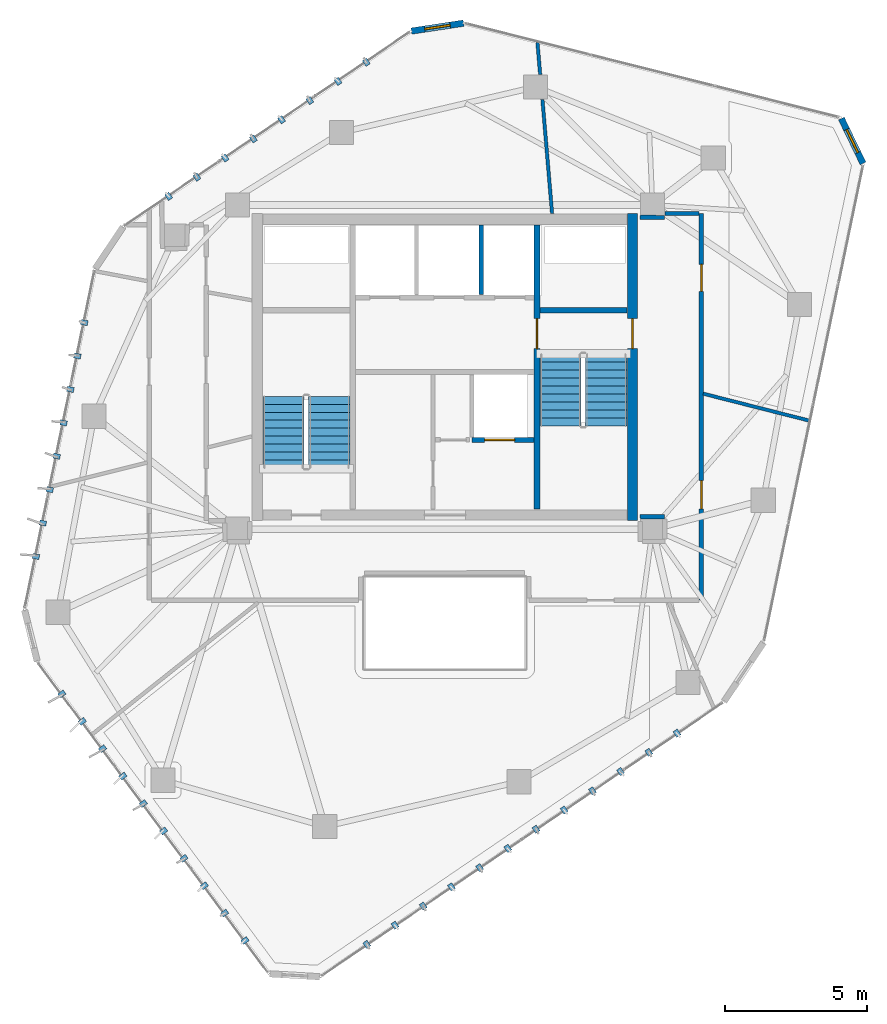
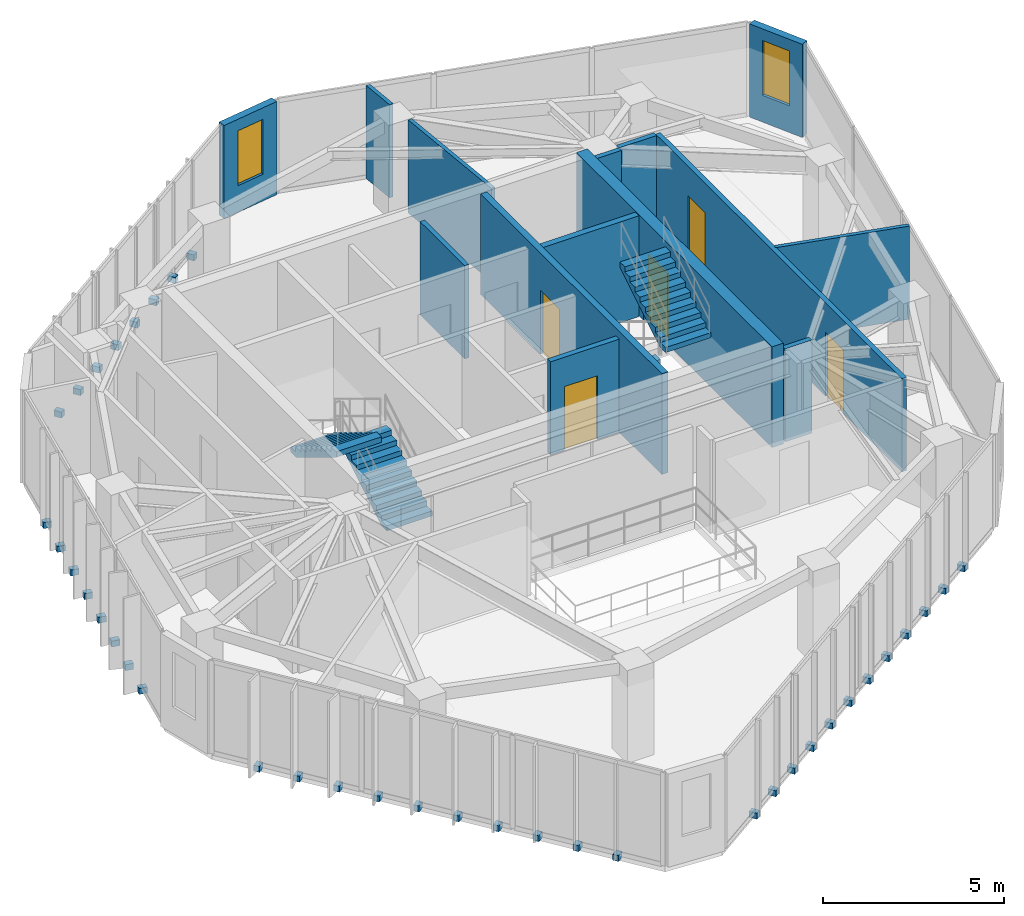
# One storey, part 18 of 20: 38 discrete accessories, 14 walls, 5 doors, 4 stair flights, 2 windows, 7 openings, 2 elements without a shape of their own.
"""IFC4 building model written with IfcOpenShell, lengths in metres."""

import ifcopenshell
import ifcopenshell.guid

model = None  # the IFC model being written
_history = None  # IfcOwnerHistory: only IFC2X3 demands one
_inside = {}  # id of a spatial element -> (the spatial element, [elements in it])
_under = {}  # id of a project, library or spatial element -> (it, [spatial elements below it])
_declared = {}  # id of a project -> (the project, [libraries it declares])
_typed = {}  # id of a type object -> (the type object, [elements of that type])
_made_of = {}  # id of a material, layer set ... -> (it, [elements and type objects made of it])


def new_model(schema):
    """Start an empty IFC model of exactly this schema.

    Asked for "IFC4X3", IfcOpenShell would pick the latest addendum, in which some entities
    have other attributes; the version numbers below select the first issue.
    IFC2X3 requires an IfcOwnerHistory on every rooted entity: one is made here for all.
    """
    global model, _history
    if schema == "IFC4X3":
        model = ifcopenshell.file(schema_version=(4, 3, 0, 0))
    else:
        model = ifcopenshell.file(schema=schema)
    _inside.clear()
    _under.clear()
    _declared.clear()
    _typed.clear()
    _made_of.clear()
    _history = None
    if model.schema == "IFC2X3":
        org = make("IfcOrganization", Name="unknown")
        user = make(
            "IfcPersonAndOrganization",
            ThePerson=make("IfcPerson", FamilyName="unknown"),
            TheOrganization=org,
        )
        app = make(
            "IfcApplication",
            ApplicationDeveloper=org,
            Version="unknown",
            ApplicationFullName="unknown",
            ApplicationIdentifier="unknown",
        )
        _history = make(
            "IfcOwnerHistory",
            OwningUser=user,
            OwningApplication=app,
            ChangeAction="ADDED",
            CreationDate=0,
        )
    return model


def make(cls, **values):
    """One entity of the class cls with the attributes given. An attribute that is None is left unset."""
    return model.create_entity(
        cls, **{name: value for name, value in values.items() if value is not None}
    )


def rooted(cls, **values):
    """An entity with a GlobalId (a new one), such as an element, a storey or a relation."""
    return make(cls, GlobalId=ifcopenshell.guid.new(), OwnerHistory=_history, **values)


def si_unit(unit_type, name, prefix=None):
    """IfcSIUnit, for example si_unit("LENGTHUNIT", "METRE", prefix="MILLI")."""
    return make("IfcSIUnit", UnitType=unit_type, Prefix=prefix, Name=name)


def assignment(units):
    """IfcUnitAssignment: the units of a project."""
    return None if units is None else make("IfcUnitAssignment", Units=units)


def point(xyz):
    """IfcCartesianPoint."""
    return None if xyz is None else make("IfcCartesianPoint", Coordinates=xyz)


def direction(xyz):
    """IfcDirection."""
    return None if xyz is None else make("IfcDirection", DirectionRatios=xyz)


def frame(location, z_axis=None, x_axis=None):
    """IfcAxis2Placement3D, a coordinate frame: its origin and axes. An axis left out is left unset."""
    return make(
        "IfcAxis2Placement3D",
        Location=point(location),
        Axis=direction(z_axis),
        RefDirection=direction(x_axis),
    )


def frame_2d(location, x_axis=None):
    """IfcAxis2Placement2D, a coordinate frame in the plane: its origin and x axis."""
    return make(
        "IfcAxis2Placement2D", Location=point(location), RefDirection=direction(x_axis)
    )


def origin():
    """The frame at (0, 0, 0) with its axes left unset."""
    return frame((0.0, 0.0, 0.0))


def origin_2d():
    """The frame at (0, 0) in the plane with its x axis left unset."""
    return frame_2d((0.0, 0.0))


def place(relative_to, where):
    """IfcLocalPlacement: puts the frame where relative to a parent placement (None: the world)."""
    return make(
        "IfcLocalPlacement", PlacementRelTo=relative_to, RelativePlacement=where
    )


def context(
    kind, dimensions, precision=None, world=None, true_north=None, identifier=None
):
    """IfcGeometricRepresentationContext, for example the 3D "Model" context."""
    return make(
        "IfcGeometricRepresentationContext",
        ContextIdentifier=identifier,
        ContextType=kind,
        CoordinateSpaceDimension=dimensions,
        Precision=precision,
        WorldCoordinateSystem=world,
        TrueNorth=true_north,
    )


def subcontext(parent, identifier, kind, view, scale=None):
    """IfcGeometricRepresentationSubContext, for example "Body" below "Model"."""
    return make(
        "IfcGeometricRepresentationSubContext",
        ContextIdentifier=identifier,
        ContextType=kind,
        ParentContext=parent,
        TargetScale=scale,
        TargetView=view,
    )


def project(units=None, contexts=None):
    """IfcProject with its units and contexts."""
    return rooted(
        "IfcProject",
        Name="project",
        RepresentationContexts=contexts,
        UnitsInContext=assignment(units),
    )


def spatial(cls, under=None, at=None, **own):
    """A site, building, storey or space (cls), placed at a placement, below another one or the project."""
    s = rooted(cls, ObjectPlacement=at, **own)
    if under is not None:
        _under.setdefault(under.id(), (under, []))[1].append(s)
    return s


def polyline(points):
    """IfcPolyline through the points."""
    return make("IfcPolyline", Points=[point(p) for p in points])


def profile(cls, at=None, kind="AREA", **sizes):
    """A parametric profile (cls). Its sizes go by their IFC names, for example OverallWidth=200.0."""
    return make(cls, ProfileType=kind, Position=at, **sizes)


def rectangle(**sizes):
    """IfcRectangleProfileDef."""
    return profile("IfcRectangleProfileDef", **sizes)


def outline(outer, holes=None, kind="AREA"):
    """IfcArbitraryClosedProfileDef: a profile drawn as a closed curve; with holes, ...WithVoids."""
    if holes is None:
        return make("IfcArbitraryClosedProfileDef", ProfileType=kind, OuterCurve=outer)
    return make(
        "IfcArbitraryProfileDefWithVoids",
        ProfileType=kind,
        OuterCurve=outer,
        InnerCurves=holes,
    )


def extrude(swept, where, along, depth):
    """IfcExtrudedAreaSolid: the profile swept, set in the frame where, extruded along a direction by depth."""
    return make(
        "IfcExtrudedAreaSolid",
        SweptArea=swept,
        Position=where,
        ExtrudedDirection=direction(along),
        Depth=depth,
    )


def shape(context_of_items, identifier, shape_type, items):
    """IfcShapeRepresentation: the items that make up one representation, for example the "Body"."""
    return make(
        "IfcShapeRepresentation",
        ContextOfItems=context_of_items,
        RepresentationIdentifier=identifier,
        RepresentationType=shape_type,
        Items=items,
    )


def source(mapping_origin, context_of_items, identifier, shape_type, items):
    """IfcRepresentationMap: a shape defined once, which mapped items show again and again."""
    return make(
        "IfcRepresentationMap",
        MappingOrigin=mapping_origin,
        MappedRepresentation=shape(context_of_items, identifier, shape_type, items),
    )


def transform(
    local_origin,
    x_axis=None,
    y_axis=None,
    z_axis=None,
    scale=None,
    scale2=None,
    scale3=None,
    uniform=True,
):
    """IfcCartesianTransformationOperator3D, or its non-uniform kind. x_axis, y_axis, z_axis: its Axis1, 2, 3."""
    if uniform:
        return make(
            "IfcCartesianTransformationOperator3D",
            Axis1=direction(x_axis),
            Axis2=direction(y_axis),
            LocalOrigin=point(local_origin),
            Scale=scale,
            Axis3=direction(z_axis),
        )
    return make(
        "IfcCartesianTransformationOperator3DnonUniform",
        Axis1=direction(x_axis),
        Axis2=direction(y_axis),
        LocalOrigin=point(local_origin),
        Scale=scale,
        Axis3=direction(z_axis),
        Scale2=scale2,
        Scale3=scale3,
    )


def mapped(mapping_source, mapping_target):
    """IfcMappedItem: shows the shape of a source again, moved by a transform."""
    return make(
        "IfcMappedItem", MappingSource=mapping_source, MappingTarget=mapping_target
    )


def material(Name=None, Category=None):
    """IfcMaterial."""
    return make("IfcMaterial", Name=Name, Category=Category)


def layer(
    of_material, thickness, ventilated=None, Name=None, Category=None, Priority=None
):
    """IfcMaterialLayer: one layer of a wall or slab, of a material (None: an air gap)."""
    return make(
        "IfcMaterialLayer",
        Material=of_material,
        LayerThickness=thickness,
        IsVentilated=ventilated,
        Name=Name,
        Category=Category,
        Priority=Priority,
    )


def layer_set(layers, Name=None):
    """IfcMaterialLayerSet."""
    return make("IfcMaterialLayerSet", MaterialLayers=layers, LayerSetName=Name)


def made_of(thing, what):
    """Note that an element or type object is made of a material, layer set ...; save() writes the relation."""
    if what is not None:
        _made_of.setdefault(what.id(), (what, []))[1].append(thing)
    return thing


def type_object(cls, material=None, **own):
    """A type object (cls), such as IfcWallType, which elements share."""
    return made_of(rooted(cls, **own), material)


def type_shapes(of_type, sources):
    """Give a type object the sources (RepresentationMaps) that its elements show as mapped items."""
    of_type.RepresentationMaps = sources


def element(
    cls,
    number,
    at=None,
    inside=None,
    cuts=None,
    type_object=None,
    material=None,
    context=None,
    identifier="Body",
    shape_type=None,
    held_by="IfcProductDefinitionShape",
    body=None,
    shapes=None,
    **own,
):
    """One element of the class cls, such as IfcWall. Its Tag is "e" and its number.

    at: its placement. inside: the storey or other place that contains it. cuts: it is an
    opening in that element (IfcRelVoidsElement). A single representation is given by context,
    identifier, shape_type and body (its items); several are given by shapes. held_by: the class
    of the entity that holds the representations. save() writes the other relations.
    """
    e = rooted(cls, Tag="e%d" % number, ObjectPlacement=at, **own)
    if body is not None:
        shapes = [shape(context, identifier, shape_type, body)]
    if shapes is not None:
        e.Representation = make(held_by, Representations=shapes)
    if inside is not None:
        _inside.setdefault(inside.id(), (inside, []))[1].append(e)
    if cuts is not None:
        rooted(
            "IfcRelVoidsElement", RelatingBuildingElement=cuts, RelatedOpeningElement=e
        )
    if type_object is not None:
        _typed.setdefault(type_object.id(), (type_object, []))[1].append(e)
    return made_of(e, material)


def fill(opening, filler):
    """IfcRelFillsElement: the door or window that sits in an opening."""
    return rooted(
        "IfcRelFillsElement",
        RelatingOpeningElement=opening,
        RelatedBuildingElement=filler,
    )


def aggregate(whole, parts):
    """IfcRelAggregates: a whole, such as a stair, and the parts it consists of."""
    return rooted("IfcRelAggregates", RelatingObject=whole, RelatedObjects=parts)


def save(model, path):
    """Write the relations noted so far, then the file.

    IfcRelAggregates (storeys below a building ...), IfcRelContainedInSpatialStructure (elements
    in a storey), IfcRelDefinesByType, IfcRelAssociatesMaterial and IfcRelDeclares: one each for
    every whole, place, type object, material and project.
    """
    for whole, parts in _under.values():
        aggregate(whole, parts)
    for where, things in _inside.values():
        rooted(
            "IfcRelContainedInSpatialStructure",
            RelatedElements=things,
            RelatingStructure=where,
        )
    for kind, things in _typed.values():
        rooted("IfcRelDefinesByType", RelatedObjects=things, RelatingType=kind)
    for what, things in _made_of.values():
        rooted("IfcRelAssociatesMaterial", RelatedObjects=things, RelatingMaterial=what)
    for by, libraries in _declared.values():
        rooted("IfcRelDeclares", RelatingContext=by, RelatedDefinitions=libraries)
    model.write(path)


model = new_model("IFC4")

# Units and contexts
model_context = context("Model", 3, precision=1e-05, world=origin(), true_north=direction((0.0, 1.0)))
body_context = subcontext(model_context, "Body", "Model", "MODEL_VIEW")
ifc_project = project(units=[si_unit("LENGTHUNIT", "METRE"), si_unit("AREAUNIT", "SQUARE_METRE"), si_unit("VOLUMEUNIT", "CUBIC_METRE"), si_unit("PLANEANGLEUNIT", "RADIAN"), si_unit("MASSUNIT", "GRAM", prefix="KILO")], contexts=[model_context])

# Site, building, storey
site_placement = place(None, origin())
site = spatial("IfcSite", under=ifc_project, at=site_placement, CompositionType="ELEMENT")
building_placement = place(site_placement, origin())
building = spatial("IfcBuilding", under=site, at=building_placement, Name="Talar Marvaseh", CompositionType="ELEMENT")
storey_placement = place(building_placement, frame((0.0, 0.0, 244.199951171875)))
storey = spatial("IfcBuildingStorey", under=building, at=storey_placement, Name="L64", CompositionType="ELEMENT", Elevation=244.199951171875)

# Wall, opening, window
ifc_material_1 = material(Name="Precast concrete C45/55", Category="concrete")
ifc_layer_1 = layer(ifc_material_1, 0.22509765625)
ifc_layer_set_1 = layer_set([ifc_layer_1], Name="Precast concrete C45/55")
wall_type_1 = type_object("IfcWallType", Name="Chamfered Hexagonal Corner Pier Wall Z4 225", PredefinedType="SOLIDWALL", material=ifc_layer_set_1)
wall_1_placement = place(storey_placement, frame((24.820556640625, 43.0166015625, 0.0), z_axis=(0.0, 0.0, 1.0), x_axis=(0.988697789407, 0.149922250588, 0.0)))
wall_1 = element("IfcWall", 1, at=wall_1_placement, inside=storey, type_object=wall_type_1, Name="L64 Chamfered Corner Limestone Pier 4", PredefinedType="SOLIDWALL", context=body_context, shape_type="SweptSolid", body=[
    extrude(rectangle(XDim=1.8564453125, YDim=0.22509765625, at=frame_2d((0.92822265625, 0.0))), origin(), (0.0, 0.0, 1.0), 3.14013671875),
])
opening_1_placement = place(wall_1_placement, frame((0.47802734375, 0.0, 0.89990234375)))
opening_1 = element("IfcOpeningElement", 2, at=opening_1_placement, cuts=wall_1, Name="Opening WN-CHM09", PredefinedType="OPENING", context=body_context, shape_type="SweptSolid", body=[
    extrude(rectangle(XDim=0.89990234375, YDim=1.85009765625, at=frame_2d((0.449951171875, 0.925048828125))), frame((0.0, 0.12255859375, 0.0), z_axis=(0.0, -1.0, 0.0), x_axis=(1.0, 0.0, 0.0)), (0.0, 0.0, 1.0), 0.2451171875),
])
ifc_material_2 = material(Name="Laminated Low-E Solar Glass", Category="glass")
window_type = type_object("IfcWindowType", Name="Zone 4 Chamfered Corner Slot Window 900x1850", PartitioningType="SINGLE_PANEL", PredefinedType="WINDOW", material=ifc_material_2)
shared_shape_1 = source(origin(), body_context, "Body", "SweptSolid", [
    extrude(rectangle(XDim=0.89990234375, YDim=1.85009765625, at=frame_2d((0.449951171875, 0.925048828125))), frame((0.0, 0.030029296875, 0.0), z_axis=(0.0, -1.0, 0.0), x_axis=(1.0, 0.0, 0.0)), (0.0, 0.0, 1.0), 0.06005859375),
])
type_shapes(window_type, [shared_shape_1])
window_1_placement = place(opening_1_placement, origin())
window_1 = element("IfcWindow", 3, at=window_1_placement, inside=storey, type_object=window_type, Name="L64 Chamfered Corner Slot Window", OverallHeight=1.85009765625, OverallWidth=0.89990234375, PartitioningType="SINGLE_PANEL", PredefinedType="WINDOW", context=body_context, shape_type="MappedRepresentation", body=[
    mapped(shared_shape_1, transform((0.0, 0.0, 0.0), x_axis=(1.0, 0.0, 0.0), y_axis=(0.0, 1.0, 0.0), z_axis=(0.0, 0.0, 1.0), scale=1.0)),
])
fill(opening_1, window_1)

wall_2_placement = place(storey_placement, frame((39.943115234375, 39.941162109375, 0.0), z_axis=(0.0, 0.0, 1.0), x_axis=(0.435622632292, -0.90012939194, 0.0)))
wall_2 = element("IfcWall", 4, at=wall_2_placement, inside=storey, type_object=wall_type_1, Name="L64 Chamfered Corner Limestone Pier 5", PredefinedType="SOLIDWALL", context=body_context, shape_type="SweptSolid", body=[
    extrude(rectangle(XDim=1.758056640625, YDim=0.22509765625, at=frame_2d((0.87890625, 0.0))), origin(), (0.0, 0.0, 1.0), 3.14013671875),
])
opening_2_placement = place(wall_2_placement, frame((0.428955078125, 0.0, 0.89990234375)))
opening_2 = element("IfcOpeningElement", 5, at=opening_2_placement, cuts=wall_2, Name="Opening WN-CHM09", PredefinedType="OPENING", context=body_context, shape_type="SweptSolid", body=[
    extrude(rectangle(XDim=0.89990234375, YDim=1.85009765625, at=frame_2d((0.449951171875, 0.925048828125))), frame((0.0, 0.12255859375, 0.0), z_axis=(0.0, -1.0, 0.0), x_axis=(1.0, 0.0, 0.0)), (0.0, 0.0, 1.0), 0.2451171875),
])
window_2_placement = place(opening_2_placement, origin())
window_2 = element("IfcWindow", 6, at=window_2_placement, inside=storey, type_object=window_type, Name="L64 Chamfered Corner Slot Window", OverallHeight=1.85009765625, OverallWidth=0.89990234375, PartitioningType="SINGLE_PANEL", PredefinedType="WINDOW", context=body_context, shape_type="MappedRepresentation", body=[
    mapped(shared_shape_1, transform((0.0, 0.0, 0.0), x_axis=(1.0, 0.0, 0.0), y_axis=(0.0, 1.0, 0.0), z_axis=(0.0, 0.0, 1.0), scale=1.0)),
])
fill(opening_2, window_2)

# Wall, openings, doors
ifc_material_3 = material(Name="Gypsum Board Partition Assembly")
ifc_layer_2 = layer(ifc_material_3, 0.155029296875)
ifc_layer_set_2 = layer_set([ifc_layer_2], Name="Gypsum Board Partition Assembly")
wall_type_2 = type_object("IfcWallType", Name="Corridor Fire-Rated Acoustic Partition 155", PredefinedType="PARTITIONING", material=ifc_layer_set_2)
wall_3_placement = place(storey_placement, frame((35.02001953125, 36.60009765625, 0.0), z_axis=(0.0, 0.0, 1.0), x_axis=(0.0, -1.0, 0.0)))
wall_3 = element("IfcWall", 7, at=wall_3_placement, inside=storey, type_object=wall_type_2, Name="L64 Interior Partition Wall", PredefinedType="PARTITIONING", context=body_context, shape_type="SweptSolid", body=[
    extrude(rectangle(XDim=13.60009765625, YDim=0.155029296875, at=frame_2d((6.800048828125, 0.0))), origin(), (0.0, 0.0, 1.0), 3.14013671875),
])
opening_3_placement = place(wall_3_placement, frame((9.391357421875, 0.0, 0.0)))
opening_3 = element("IfcOpeningElement", 8, at=opening_3_placement, cuts=wall_3, Name="Opening DR-RM100", PredefinedType="OPENING", context=body_context, shape_type="SweptSolid", body=[
    extrude(rectangle(XDim=1.0, YDim=2.14990234375, at=frame_2d((0.5, 1.074951171875))), frame((0.0, 0.08740234375, 0.0), z_axis=(0.0, -1.0, 0.0), x_axis=(1.0, 0.0, 0.0)), (0.0, 0.0, 1.0), 0.175048828125),
])
opening_4_placement = place(wall_3_placement, frame((1.788330078125, 0.0, 0.0)))
opening_4 = element("IfcOpeningElement", 9, at=opening_4_placement, cuts=wall_3, Name="Opening DR-WC095", PredefinedType="OPENING", context=body_context, shape_type="SweptSolid", body=[
    extrude(rectangle(XDim=0.949951171875, YDim=2.14990234375, at=frame_2d((0.47509765625, 1.074951171875))), frame((0.0, 0.08740234375, 0.0), z_axis=(0.0, -1.0, 0.0), x_axis=(1.0, 0.0, 0.0)), (0.0, 0.0, 1.0), 0.175048828125),
])
ifc_material_4 = material(Name="Acoustic Engineered Oak Timber", Category="wood")
door_type_1 = type_object("IfcDoorType", Name="Washroom and Service Room Door 950x2150", OperationType="NOTDEFINED", PredefinedType="DOOR", material=ifc_material_4)
shared_shape_2 = source(origin(), body_context, "Body", "SweptSolid", [
    extrude(rectangle(XDim=0.949951171875, YDim=2.14990234375, at=frame_2d((0.47509765625, 1.074951171875))), frame((0.0, 0.02490234375, 0.0), z_axis=(0.0, -1.0, 0.0), x_axis=(1.0, 0.0, 0.0)), (0.0, 0.0, 1.0), 0.050048828125),
])
type_shapes(door_type_1, [shared_shape_2])
door_1_placement = place(opening_4_placement, origin())
door_1 = element("IfcDoor", 10, at=door_1_placement, inside=storey, type_object=door_type_1, Name="L64 Scholars' Servery Pantry Door", OperationType="SINGLE_SWING_LEFT", OverallHeight=2.14990234375, OverallWidth=0.949951171875, PredefinedType="DOOR", context=body_context, shape_type="MappedRepresentation", body=[
    mapped(shared_shape_2, transform((0.0, 0.0, 0.0), x_axis=(1.0, 0.0, 0.0), y_axis=(0.0, 1.0, 0.0), z_axis=(0.0, 0.0, 1.0), scale=1.0)),
])
fill(opening_4, door_1)
door_type_2 = type_object("IfcDoorType", Name="Corridor Fire-Rated Gallery Door 1000x2150", OperationType="NOTDEFINED", PredefinedType="DOOR", material=ifc_material_4)
shared_shape_3 = source(origin(), body_context, "Body", "SweptSolid", [
    extrude(rectangle(XDim=1.0, YDim=2.14990234375, at=frame_2d((0.5, 1.074951171875))), frame((0.0, 0.02490234375, 0.0), z_axis=(0.0, -1.0, 0.0), x_axis=(1.0, 0.0, 0.0)), (0.0, 0.0, 1.0), 0.050048828125),
])
type_shapes(door_type_2, [shared_shape_3])
door_2_placement = place(opening_3_placement, origin())
door_2 = element("IfcDoor", 11, at=door_2_placement, inside=storey, type_object=door_type_2, Name="L64 Visitor Orientation Foyer Door", OperationType="SINGLE_SWING_RIGHT", OverallHeight=2.14990234375, OverallWidth=1.0, PredefinedType="DOOR", context=body_context, shape_type="MappedRepresentation", body=[
    mapped(shared_shape_3, transform((0.0, 0.0, 0.0), x_axis=(1.0, 0.0, 0.0), y_axis=(0.0, 1.0, 0.0), z_axis=(0.0, 0.0, 1.0), scale=1.0)),
])
fill(opening_3, door_2)

# Walls
wall_4_placement = place(storey_placement, frame((32.8701171875, 36.464599609375, 0.0), z_axis=(0.0, 0.0, 1.0), x_axis=(0.999986873463, -0.005123758532, 0.0)))
element("IfcWall", 12, at=wall_4_placement, inside=storey, type_object=wall_type_2, Name="L64 Interior Partition Wall", PredefinedType="PARTITIONING", context=body_context, shape_type="SweptSolid", body=[
    extrude(rectangle(XDim=0.857666015625, YDim=0.155029296875, at=frame_2d((0.4287109375, 0.0))), origin(), (0.0, 0.0, 1.0), 3.14013671875),
])
wall_5_placement = place(storey_placement, frame((33.739990234375, 36.60009765625, 0.0), z_axis=(0.0, 0.0, 1.0), x_axis=(1.0, 0.0, 0.0)))
element("IfcWall", 13, at=wall_5_placement, inside=storey, type_object=wall_type_2, Name="L64 Interior Partition Wall", PredefinedType="PARTITIONING", context=body_context, shape_type="SweptSolid", body=[
    extrude(rectangle(XDim=1.196533203125, YDim=0.155029296875, at=frame_2d((0.59814453125, 0.0))), origin(), (0.0, 0.0, 1.0), 3.14013671875),
])
wall_6_placement = place(storey_placement, frame((33.72509765625, 25.93994140625, 0.0), z_axis=(0.0, 0.0, 1.0), x_axis=(-0.999986790873, -0.005139852152, 0.0)))
element("IfcWall", 14, at=wall_6_placement, inside=storey, type_object=wall_type_2, Name="L64 Interior Partition Wall", PredefinedType="PARTITIONING", context=body_context, shape_type="SweptSolid", body=[
    extrude(rectangle(XDim=0.85498046875, YDim=0.155029296875, at=frame_2d((0.427490234375, 0.0))), origin(), (0.0, 0.0, 1.0), 3.14013671875),
])
ifc_layer_3 = layer(ifc_material_3, 0.1201171875)
ifc_layer_set_3 = layer_set([ifc_layer_3], Name="Gypsum Board Partition Assembly")
wall_type_3 = type_object("IfcWallType", Name="Demountable Studio Room Partition 120", PredefinedType="PARTITIONING", material=ifc_layer_set_3)
wall_7_placement = place(storey_placement, frame((35.0830078125, 30.263916015625, 0.0), z_axis=(0.0, 0.0, 1.0), x_axis=(0.96919881584, -0.246279628421, 0.0)))
element("IfcWall", 15, at=wall_7_placement, inside=storey, type_object=wall_type_3, Name="L64 Interior Partition Wall", PredefinedType="PARTITIONING", context=body_context, shape_type="SweptSolid", body=[
    extrude(rectangle(XDim=3.849365234375, YDim=0.1201171875, at=frame_2d((1.9248046875, 0.0))), origin(), (0.0, 0.0, 1.0), 3.14013671875),
])
wall_8_placement = place(storey_placement, frame((29.77001953125, 36.60009765625, 0.0), z_axis=(0.0, 0.0, 1.0), x_axis=(-0.084506371621, 0.996422938895, 0.0)))
element("IfcWall", 16, at=wall_8_placement, inside=storey, type_object=wall_type_3, Name="L64 Interior Partition Wall", PredefinedType="PARTITIONING", context=body_context, shape_type="SweptSolid", body=[
    extrude(rectangle(XDim=4.0244140625, YDim=0.1201171875, at=frame_2d((2.01220703125, 0.0))), origin(), (0.0, 0.0, 1.0), 3.14013671875),
])
wall_9_placement = place(storey_placement, frame((29.35009765625, 41.489990234375, 0.0), z_axis=(0.0, 0.0, 1.0), x_axis=(-0.083969635919, 0.996468313718, 0.0)))
element("IfcWall", 17, at=wall_9_placement, inside=storey, type_object=wall_type_3, Name="L64 Interior Partition Wall", PredefinedType="PARTITIONING", context=body_context, shape_type="SweptSolid", body=[
    extrude(rectangle(XDim=1.13671875, YDim=0.1201171875, at=frame_2d((0.568359375, 0.0))), origin(), (0.0, 0.0, 1.0), 3.14013671875),
])
ifc_layer_4 = layer(ifc_material_1, 0.14501953125)
ifc_layer_set_4 = layer_set([ifc_layer_4], Name="Precast concrete C45/55")
wall_type_4 = type_object("IfcWallType", Name="Fire-Rated Lift Divider Wall 145", PredefinedType="SOLIDWALL", material=ifc_layer_set_4)
wall_10_placement = place(storey_placement, frame((27.280029296875, 33.743408203125, 0.0), z_axis=(0.0, 0.0, 1.0), x_axis=(0.0, 1.0, 0.0)))
element("IfcWall", 18, at=wall_10_placement, inside=storey, type_object=wall_type_4, Name="L64 FFL-2/SVL-1 Divider", PredefinedType="SOLIDWALL", context=body_context, shape_type="SweptSolid", body=[
    extrude(rectangle(XDim=2.45654296875, YDim=0.14501953125, at=frame_2d((1.228271484375, 0.0))), origin(), (0.0, 0.0, 1.0), 3.14013671875),
])

# Wall, opening, door
ifc_layer_5 = layer(ifc_material_1, 0.175048828125)
ifc_layer_set_5 = layer_set([ifc_layer_5], Name="Precast concrete C45/55")
wall_type_5 = type_object("IfcWallType", Name="Fire-Rated Lift Hoistway Enclosure Wall 175", PredefinedType="SOLIDWALL", material=ifc_layer_set_5)
wall_11_placement = place(storey_placement, frame((26.949951171875, 28.639892578125, 0.0), z_axis=(0.0, 0.0, 1.0), x_axis=(1.0, 0.0, 0.0)))
wall_11 = element("IfcWall", 19, at=wall_11_placement, inside=storey, type_object=wall_type_5, Name="L64 Sky Express Lift Front Wall", PredefinedType="SOLIDWALL", context=body_context, shape_type="SweptSolid", body=[
    extrude(rectangle(XDim=2.18994140625, YDim=0.175048828125, at=frame_2d((1.094970703125, 0.0))), origin(), (0.0, 0.0, 1.0), 3.14013671875),
])
opening_5_placement = place(wall_11_placement, frame((0.449951171875, 0.0, 0.0)))
opening_5 = element("IfcOpeningElement", 20, at=opening_5_placement, cuts=wall_11, Name="Opening LD-PLH3", PredefinedType="OPENING", context=body_context, shape_type="SweptSolid", body=[
    extrude(rectangle(XDim=1.050048828125, YDim=2.14990234375, at=frame_2d((0.52490234375, 1.074951171875))), frame((0.0, 0.09765625, 0.0), z_axis=(0.0, -1.0, 0.0), x_axis=(1.0, 0.0, 0.0)), (0.0, 0.0, 1.0), 0.195068359375),
])
ifc_material_5 = material(Name="Stainless Steel Grade 316", Category="steel")
door_type_3 = type_object("IfcDoorType", Name="Automatic Sliding Lift Landing Door 1050x2150", OperationType="NOTDEFINED", PredefinedType="DOOR", material=ifc_material_5)
shared_shape_4 = source(origin(), body_context, "Body", "SweptSolid", [
    extrude(rectangle(XDim=1.050048828125, YDim=2.14990234375, at=frame_2d((0.52490234375, 1.074951171875))), frame((0.0, 0.02490234375, 0.0), z_axis=(0.0, -1.0, 0.0), x_axis=(1.0, 0.0, 0.0)), (0.0, 0.0, 1.0), 0.050048828125),
])
type_shapes(door_type_3, [shared_shape_4])
door_3_placement = place(opening_5_placement, origin())
door_3 = element("IfcDoor", 21, at=door_3_placement, inside=storey, type_object=door_type_3, Name="L64 Lift PL-H3 Sliding Landing Door", OperationType="SLIDING_TO_LEFT", OverallHeight=2.14990234375, OverallWidth=1.050048828125, PredefinedType="DOOR", context=body_context, shape_type="MappedRepresentation", body=[
    mapped(shared_shape_4, transform((0.0, 0.0, 0.0), x_axis=(1.0, 0.0, 0.0), y_axis=(0.0, 1.0, 0.0), z_axis=(0.0, 0.0, 1.0), scale=1.0)),
])
fill(opening_5, door_3)

ifc_material_6 = material(Name="Concrete C50/60", Category="concrete")
ifc_layer_6 = layer(ifc_material_6, 0.199951171875)
ifc_layer_set_6 = layer_set([ifc_layer_6], Name="Concrete C50/60")
wall_type_6 = type_object("IfcWallType", Name="Stair Shaft Structural Concrete Shear Wall 200", PredefinedType="SHEAR", material=ifc_layer_set_6)
wall_12_placement = place(storey_placement, frame((29.239990234375, 26.199951171875, 0.0), z_axis=(0.0, 0.0, 1.0), x_axis=(0.0, 1.0, 0.0)))
wall_12 = element("IfcWall", 22, at=wall_12_placement, inside=storey, type_object=wall_type_6, Name="L64 Core East Stair Shear Wall", PredefinedType="SHEAR", context=body_context, shape_type="SweptSolid", body=[
    extrude(rectangle(XDim=10.0, YDim=0.199951171875, at=frame_2d((5.0, 0.0))), origin(), (0.0, 0.0, 1.0), 3.400146484375),
])
opening_6_placement = place(wall_12_placement, frame((5.64990234375, 0.0, 0.0)))
opening_6 = element("IfcOpeningElement", 23, at=opening_6_placement, cuts=wall_12, Name="Opening DR-ST105", PredefinedType="OPENING", context=body_context, shape_type="SweptSolid", body=[
    extrude(rectangle(XDim=1.050048828125, YDim=2.14990234375, at=frame_2d((0.52490234375, 1.074951171875))), frame((0.0, 0.10986328125, 0.0), z_axis=(0.0, -1.0, 0.0), x_axis=(1.0, 0.0, 0.0)), (0.0, 0.0, 1.0), 0.219970703125),
])
ifc_material_7 = material(Name="Fire-Rated Steel Door Leaf", Category="steel")
door_type_4 = type_object("IfcDoorType", Name="Protected Exit Stair Fire Door 1050x2150", OperationType="NOTDEFINED", PredefinedType="DOOR", material=ifc_material_7)
shared_shape_5 = source(origin(), body_context, "Body", "SweptSolid", [
    extrude(rectangle(XDim=1.050048828125, YDim=2.14990234375, at=frame_2d((0.52490234375, 1.074951171875))), frame((0.0, 0.02490234375, 0.0), z_axis=(0.0, -1.0, 0.0), x_axis=(1.0, 0.0, 0.0)), (0.0, 0.0, 1.0), 0.050048828125),
])
type_shapes(door_type_4, [shared_shape_5])
door_4_placement = place(opening_6_placement, origin())
door_4 = element("IfcDoor", 24, at=door_4_placement, inside=storey, type_object=door_type_4, Name="L64 Firefighting Lobby to Stair ST-2 Door", OperationType="SINGLE_SWING_LEFT", OverallHeight=2.14990234375, OverallWidth=1.050048828125, PredefinedType="DOOR", context=body_context, shape_type="MappedRepresentation", body=[
    mapped(shared_shape_5, transform((0.0, 0.0, 0.0), x_axis=(1.0, 0.0, 0.0), y_axis=(0.0, 1.0, 0.0), z_axis=(0.0, 0.0, 1.0), scale=1.0)),
])
fill(opening_6, door_4)

# Wall
wall_13_placement = place(storey_placement, frame((29.340087890625, 33.199951171875, 0.0), z_axis=(0.0, 0.0, 1.0), x_axis=(1.0, 0.0, 0.0)))
element("IfcWall", 25, at=wall_13_placement, inside=storey, type_object=wall_type_6, Name="L64 Stair ST-2 North Shear Wall", PredefinedType="SHEAR", context=body_context, shape_type="SweptSolid", body=[
    extrude(rectangle(XDim=3.059814453125, YDim=0.199951171875, at=frame_2d((1.52978515625, 0.0))), origin(), (0.0, 0.0, 1.0), 3.400146484375),
])

# Wall, opening, door
ifc_layer_7 = layer(ifc_material_6, 0.360107421875)
ifc_layer_set_7 = layer_set([ifc_layer_7], Name="Concrete C50/60")
wall_type_7 = type_object("IfcWallType", Name="Upper Core Reinforced Concrete Shear Wall 360", PredefinedType="SHEAR", material=ifc_layer_set_7)
wall_14_placement = place(storey_placement, frame((32.60009765625, 36.60009765625, 0.0), z_axis=(0.0, 0.0, 1.0), x_axis=(0.0, -1.0, 0.0)))
wall_14 = element("IfcWall", 26, at=wall_14_placement, inside=storey, type_object=wall_type_7, Name="L64 East Core Shear Wall", PredefinedType="SHEAR", context=body_context, shape_type="SweptSolid", body=[
    extrude(rectangle(XDim=10.800048828125, YDim=0.360107421875, at=frame_2d((5.39990234375, 0.0))), origin(), (0.0, 0.0, 1.0), 3.400146484375),
])
opening_7_placement = place(wall_14_placement, frame((3.699951171875, 0.0, 0.0)))
opening_7 = element("IfcOpeningElement", 27, at=opening_7_placement, cuts=wall_14, Name="Opening DR-ST105", PredefinedType="OPENING", context=body_context, shape_type="SweptSolid", body=[
    extrude(rectangle(XDim=1.050048828125, YDim=2.14990234375, at=frame_2d((0.52490234375, 1.074951171875))), frame((0.0, 0.18994140625, 0.0), z_axis=(0.0, -1.0, 0.0), x_axis=(1.0, 0.0, 0.0)), (0.0, 0.0, 1.0), 0.380126953125),
])
door_5_placement = place(opening_7_placement, origin())
door_5 = element("IfcDoor", 28, at=door_5_placement, inside=storey, type_object=door_type_4, Name="L64 Stair ST-2 Corridor Exit Door", OperationType="SINGLE_SWING_LEFT", OverallHeight=2.14990234375, OverallWidth=1.050048828125, PredefinedType="DOOR", context=body_context, shape_type="MappedRepresentation", body=[
    mapped(shared_shape_5, transform((0.0, 0.0, 0.0), x_axis=(1.0, 0.0, 0.0), y_axis=(0.0, 1.0, 0.0), z_axis=(0.0, 0.0, 1.0), scale=1.0)),
])
fill(opening_7, door_5)

# Stair, stair flights
ifc_material_8 = material(Name="Concrete C40/50", Category="concrete")
stair_type = type_object("IfcStairType", Name="Reinforced Concrete High-Rise Exit Stair Type C", PredefinedType="HALF_TURN_STAIR", material=ifc_material_8)
stair_1_placement = place(storey_placement, origin())
stair_1 = element("IfcStair", 29, at=stair_1_placement, inside=storey, type_object=stair_type, Name="L64 Tower West Core Exit Stair", PredefinedType="HALF_TURN_STAIR")
ifc_layer_8 = layer(ifc_material_8, 0.159912109375)
ifc_layer_set_8 = layer_set([ifc_layer_8], Name="Concrete C40/50")
stair_flight_type = type_object("IfcStairFlightType", Name="Reinforced Concrete Straight Stair Flight 160", PredefinedType="STRAIGHT", material=ifc_layer_set_8)
stair_flight_1_placement = place(storey_placement, frame((21.93505859375, 27.64990234375, 0.0), z_axis=(0.0, 0.0, 1.0), x_axis=(0.0, 1.0, 0.0)))
stair_flight_1 = element("IfcStairFlight", 30, at=stair_flight_1_placement, type_object=stair_flight_type, Name="ST-1 flight 1", NumberOfRisers=10, NumberOfTreads=9, PredefinedType="STRAIGHT", RiserHeight=0.17, TreadLength=0.28, context=body_context, shape_type="SweptSolid", body=[
    extrude(outline(polyline([(0.0, 0.0), (0.0, 0.169921875), (0.280029296875, 0.169921875), (0.280029296875, 0.340087890625), (0.56005859375, 0.340087890625), (0.56005859375, 0.510009765625), (0.840087890625, 0.510009765625), (0.840087890625, 0.679931640625), (1.1201171875, 0.679931640625), (1.1201171875, 0.85009765625), (1.39990234375, 0.85009765625), (1.39990234375, 1.02001953125), (1.679931640625, 1.02001953125), (1.679931640625, 1.18994140625), (1.9599609375, 1.18994140625), (1.9599609375, 1.360107421875), (2.239990234375, 1.360107421875), (2.239990234375, 1.530029296875), (2.52001953125, 1.530029296875), (2.52001953125, 1.699951171875), (2.52001953125, 1.343017578125), (0.30810546875, 0.0), (0.0, 0.0)])), frame((0.0, 0.72509765625, 0.0), z_axis=(0.0, -1.0, 0.0), x_axis=(1.0, 0.0, 0.0)), (0.0, 0.0, 1.0), 1.449951171875),
])
stair_flight_2_placement = place(storey_placement, frame((20.324951171875, 30.169921875, 1.699951171875), z_axis=(0.0, 0.0, 1.0), x_axis=(0.0, -1.0, 0.0)))
stair_flight_2 = element("IfcStairFlight", 31, at=stair_flight_2_placement, type_object=stair_flight_type, Name="ST-1 flight 2", NumberOfRisers=10, NumberOfTreads=9, PredefinedType="STRAIGHT", RiserHeight=0.17, TreadLength=0.28, context=body_context, shape_type="SweptSolid", body=[
    extrude(outline(polyline([(0.0, 0.0), (0.0, 0.169921875), (0.280029296875, 0.169921875), (0.280029296875, 0.340087890625), (0.56005859375, 0.340087890625), (0.56005859375, 0.510009765625), (0.840087890625, 0.510009765625), (0.840087890625, 0.679931640625), (1.1201171875, 0.679931640625), (1.1201171875, 0.85009765625), (1.39990234375, 0.85009765625), (1.39990234375, 1.02001953125), (1.679931640625, 1.02001953125), (1.679931640625, 1.18994140625), (1.9599609375, 1.18994140625), (1.9599609375, 1.360107421875), (2.239990234375, 1.360107421875), (2.239990234375, 1.530029296875), (2.52001953125, 1.530029296875), (2.52001953125, 1.699951171875), (2.52001953125, 1.343017578125), (0.30810546875, 0.0), (0.0, 0.0)])), frame((0.0, 0.72509765625, 0.0), z_axis=(0.0, -1.0, 0.0), x_axis=(1.0, 0.0, 0.0)), (0.0, 0.0, 1.0), 1.449951171875),
])
aggregate(stair_1, [stair_flight_1, stair_flight_2])

stair_2_placement = place(storey_placement, origin())
stair_2 = element("IfcStair", 32, at=stair_2_placement, inside=storey, type_object=stair_type, Name="L64 Tower East Core Exit Stair", PredefinedType="HALF_TURN_STAIR")
stair_flight_3_placement = place(storey_placement, frame((30.06494140625, 31.64990234375, 0.0), z_axis=(0.0, 0.0, 1.0), x_axis=(0.0, -1.0, 0.0)))
stair_flight_3 = element("IfcStairFlight", 33, at=stair_flight_3_placement, type_object=stair_flight_type, Name="ST-2 flight 1", NumberOfRisers=10, NumberOfTreads=9, PredefinedType="STRAIGHT", RiserHeight=0.17, TreadLength=0.28, context=body_context, shape_type="SweptSolid", body=[
    extrude(outline(polyline([(0.0, 0.0), (0.0, 0.169921875), (0.280029296875, 0.169921875), (0.280029296875, 0.340087890625), (0.56005859375, 0.340087890625), (0.56005859375, 0.510009765625), (0.840087890625, 0.510009765625), (0.840087890625, 0.679931640625), (1.1201171875, 0.679931640625), (1.1201171875, 0.85009765625), (1.39990234375, 0.85009765625), (1.39990234375, 1.02001953125), (1.679931640625, 1.02001953125), (1.679931640625, 1.18994140625), (1.9599609375, 1.18994140625), (1.9599609375, 1.360107421875), (2.239990234375, 1.360107421875), (2.239990234375, 1.530029296875), (2.52001953125, 1.530029296875), (2.52001953125, 1.699951171875), (2.52001953125, 1.343017578125), (0.30810546875, 0.0), (0.0, 0.0)])), frame((0.0, 0.72509765625, 0.0), z_axis=(0.0, -1.0, 0.0), x_axis=(1.0, 0.0, 0.0)), (0.0, 0.0, 1.0), 1.449951171875),
])
stair_flight_4_placement = place(storey_placement, frame((31.675048828125, 29.1298828125, 1.699951171875), z_axis=(0.0, 0.0, 1.0), x_axis=(0.0, 1.0, 0.0)))
stair_flight_4 = element("IfcStairFlight", 34, at=stair_flight_4_placement, type_object=stair_flight_type, Name="ST-2 flight 2", NumberOfRisers=10, NumberOfTreads=9, PredefinedType="STRAIGHT", RiserHeight=0.17, TreadLength=0.28, context=body_context, shape_type="SweptSolid", body=[
    extrude(outline(polyline([(0.0, 0.0), (0.0, 0.169921875), (0.280029296875, 0.169921875), (0.280029296875, 0.340087890625), (0.56005859375, 0.340087890625), (0.56005859375, 0.510009765625), (0.840087890625, 0.510009765625), (0.840087890625, 0.679931640625), (1.1201171875, 0.679931640625), (1.1201171875, 0.85009765625), (1.39990234375, 0.85009765625), (1.39990234375, 1.02001953125), (1.679931640625, 1.02001953125), (1.679931640625, 1.18994140625), (1.9599609375, 1.18994140625), (1.9599609375, 1.360107421875), (2.239990234375, 1.360107421875), (2.239990234375, 1.530029296875), (2.52001953125, 1.530029296875), (2.52001953125, 1.699951171875), (2.52001953125, 1.343017578125), (0.30810546875, 0.0), (0.0, 0.0)])), frame((0.0, 0.72509765625, 0.0), z_axis=(0.0, -1.0, 0.0), x_axis=(1.0, 0.0, 0.0)), (0.0, 0.0, 1.0), 1.449951171875),
])
aggregate(stair_2, [stair_flight_3, stair_flight_4])

# Discrete accessories
discrete_accessory_type = type_object("IfcDiscreteAccessoryType", Name="Stainless Slab-Edge Fin Mounting Bracket", PredefinedType="BRACKET", material=ifc_material_5)
shared_shape_6 = source(origin(), body_context, "Body", "SweptSolid", [
    extrude(rectangle(XDim=0.239990234375, YDim=0.179931640625, at=origin_2d()), origin(), (0.0, 0.0, 1.0), 0.199951171875),
])
type_shapes(discrete_accessory_type, [shared_shape_6])
for number, where, z_axis, x_axis, name in (
    (35, (18.968017578125, 11.03125, -0.1796875), (0.0, 0.0, 1.0), (-0.802817475191, -0.596224874966, 0.0), "L64 Vertical Fin Slab-Edge Bracket"),
    (36, (18.252685546875, 11.99462890625, -0.1796875), (0.0, 0.0, 1.0), (-0.802817475191, -0.596224874966, 0.0), "L64 Vertical Fin Slab-Edge Bracket"),
    (37, (17.537353515625, 12.9580078125, -0.1796875), (0.0, 0.0, 1.0), (-0.802817475191, -0.596224874966, 0.0), "L64 Vertical Fin Slab-Edge Bracket"),
    (38, (16.822021484375, 13.92138671875, -0.1796875), (0.0, 0.0, 1.0), (-0.802817475191, -0.596224874966, 0.0), "L64 Vertical Fin Slab-Edge Bracket"),
    (39, (16.1064453125, 14.885009765625, -0.1796875), (0.0, 0.0, 1.0), (-0.802817475191, -0.596224874966, 0.0), "L64 Vertical Fin Slab-Edge Bracket"),
    (40, (15.39111328125, 15.848388671875, -0.1796875), (0.0, 0.0, 1.0), (-0.802817475191, -0.596224874966, 0.0), "L64 Vertical Fin Slab-Edge Bracket"),
    (41, (14.675537109375, 16.811767578125, -0.1796875), (0.0, 0.0, 1.0), (-0.802817475191, -0.596224874966, 0.0), "L64 Vertical Fin Slab-Edge Bracket"),
    (42, (13.960205078125, 17.775146484375, -0.1796875), (0.0, 0.0, 1.0), (-0.802817475191, -0.596224874966, 0.0), "L64 Vertical Fin Slab-Edge Bracket"),
    (43, (13.244873046875, 18.738525390625, -0.1796875), (0.0, 0.0, 1.0), (-0.802817475191, -0.596224874966, 0.0), "L64 Vertical Fin Slab-Edge Bracket"),
    (44, (12.529296875, 19.701904296875, -0.1796875), (0.0, 0.0, 1.0), (-0.802817475191, -0.596224874966, 0.0), "L64 Vertical Fin Slab-Edge Bracket"),
    (45, (11.617431640625, 24.537841796875, -0.1796875), (0.0, 0.0, 1.0), (-0.979293537082, 0.202445469766, 0.0), "L64 Vertical Fin Slab-Edge Bracket"),
    (46, (11.8603515625, 25.712890625, -0.1796875), (0.0, 0.0, 1.0), (-0.979293537082, 0.202445469766, 0.0), "L64 Vertical Fin Slab-Edge Bracket"),
    (47, (12.103515625, 26.88818359375, -0.1796875), (0.0, 0.0, 1.0), (-0.979293537082, 0.202445469766, 0.0), "L64 Vertical Fin Slab-Edge Bracket"),
    (48, (12.346435546875, 28.063232421875, -0.1796875), (0.0, 0.0, 1.0), (-0.979293537082, 0.202445469766, 0.0), "L64 Vertical Fin Slab-Edge Bracket"),
    (49, (12.58935546875, 29.23828125, -0.1796875), (0.0, 0.0, 1.0), (-0.979293537082, 0.202445469766, 0.0), "L64 Vertical Fin Slab-Edge Bracket"),
    (50, (12.832275390625, 30.41357421875, -0.1796875), (0.0, 0.0, 1.0), (-0.979293537082, 0.202445469766, 0.0), "L64 Vertical Fin Slab-Edge Bracket"),
    (51, (13.0751953125, 31.588623046875, -0.1796875), (0.0, 0.0, 1.0), (-0.979293537082, 0.202445469766, 0.0), "L64 Vertical Fin Slab-Edge Bracket"),
    (52, (13.318359375, 32.763916015625, -0.1796875), (0.0, 0.0, 1.0), (-0.979293537082, 0.202445469766, 0.0), "L64 Vertical Fin Slab-Edge Bracket"),
    (53, (16.28369140625, 37.201904296875, -0.1796875), (0.0, 0.0, 1.0), (-0.56179463803, 0.827276727994, 0.0), "L64 Vertical Fin Slab-Edge Bracket"),
    (54, (17.276611328125, 37.876220703125, -0.1796875), (0.0, 0.0, 1.0), (-0.56179463803, 0.827276727994, 0.0), "L64 Vertical Fin Slab-Edge Bracket"),
    (55, (18.269287109375, 38.55029296875, -0.1796875), (0.0, 0.0, 1.0), (-0.56179463803, 0.827276727994, 0.0), "L64 Vertical Fin Slab-Edge Bracket"),
    (56, (19.261962890625, 39.224609375, -0.1796875), (0.0, 0.0, 1.0), (-0.56179463803, 0.827276727994, 0.0), "L64 Vertical Fin Slab-Edge Bracket"),
    (57, (20.254638671875, 39.898681640625, -0.1796875), (0.0, 0.0, 1.0), (-0.56179463803, 0.827276727994, 0.0), "L64 Vertical Fin Slab-Edge Bracket"),
    (58, (21.247314453125, 40.572998046875, -0.1796875), (0.0, 0.0, 1.0), (-0.56179463803, 0.827276727994, 0.0), "L64 Vertical Fin Slab-Edge Bracket"),
    (59, (22.239990234375, 41.247314453125, -0.1796875), (0.0, 0.0, 1.0), (-0.56179463803, 0.827276727994, 0.0), "L64 Vertical Fin Slab-Edge Bracket"),
    (60, (23.23291015625, 41.92138671875, -0.1796875), (0.0, 0.0, 1.0), (-0.56179463803, 0.827276727994, 0.0), "L64 Vertical Fin Slab-Edge Bracket"),
    (61, (34.162841796875, 18.3232421875, -0.1796875), (0.0, 0.0, 1.0), (0.562949186249, -0.826491508548, 0.0), "L64 Vertical Fin Slab-Edge Bracket"),
    (62, (33.1708984375, 17.647705078125, -0.1796875), (0.0, 0.0, 1.0), (0.562949186249, -0.826491508548, 0.0), "L64 Vertical Fin Slab-Edge Bracket"),
    (63, (32.17919921875, 16.97216796875, -0.1796875), (0.0, 0.0, 1.0), (0.562949186249, -0.826491508548, 0.0), "L64 Vertical Fin Slab-Edge Bracket"),
    (64, (31.1875, 16.296630859375, -0.1796875), (0.0, 0.0, 1.0), (0.562949186249, -0.826491508548, 0.0), "L64 Vertical Fin Slab-Edge Bracket"),
    (65, (30.195556640625, 15.62109375, -0.1796875), (0.0, 0.0, 1.0), (0.562949186249, -0.826491508548, 0.0), "L64 Vertical Fin Slab-Edge Bracket"),
    (66, (29.203857421875, 14.945556640625, -0.1796875), (0.0, 0.0, 1.0), (0.562949186249, -0.826491508548, 0.0), "L64 Vertical Fin Slab-Edge Bracket"),
    (67, (28.2119140625, 14.27001953125, -0.1796875), (0.0, 0.0, 1.0), (0.562949186249, -0.826491508548, 0.0), "L64 Vertical Fin Slab-Edge Bracket"),
    (68, (27.22021484375, 13.594482421875, -0.1796875), (0.0, 0.0, 1.0), (0.562949186249, -0.826491508548, 0.0), "L64 Vertical Fin Slab-Edge Bracket"),
    (69, (26.228515625, 12.919189453125, -0.1796875), (0.0, 0.0, 1.0), (0.562949186249, -0.826491508548, 0.0), "L64 Vertical Fin Slab-Edge Bracket"),
    (70, (25.236572265625, 12.24365234375, -0.1796875), (0.0, 0.0, 1.0), (0.562949186249, -0.826491508548, 0.0), "L64 Vertical Fin Slab-Edge Bracket"),
    (71, (24.244873046875, 11.568115234375, -0.1796875), (0.0, 0.0, 1.0), (0.562949186249, -0.826491508548, 0.0), "L64 Vertical Fin Slab-Edge Bracket"),
    (72, (23.2529296875, 10.892578125, -0.1796875), (0.0, 0.0, 1.0), (0.562949186249, -0.826491508548, 0.0), "L64 Vertical Fin Slab-Edge Bracket"),
):
    element("IfcDiscreteAccessory", number, at=place(storey_placement, frame(where, z_axis=z_axis, x_axis=x_axis)), inside=storey, type_object=discrete_accessory_type, Name=name, PredefinedType="BRACKET", context=body_context, shape_type="MappedRepresentation", body=[
        mapped(shared_shape_6, transform((0.0, 0.0, 0.0), x_axis=(1.0, 0.0, 0.0), y_axis=(0.0, 1.0, 0.0), z_axis=(0.0, 0.0, 1.0), scale=1.0)),
    ])

save(model, "model.ifc")
